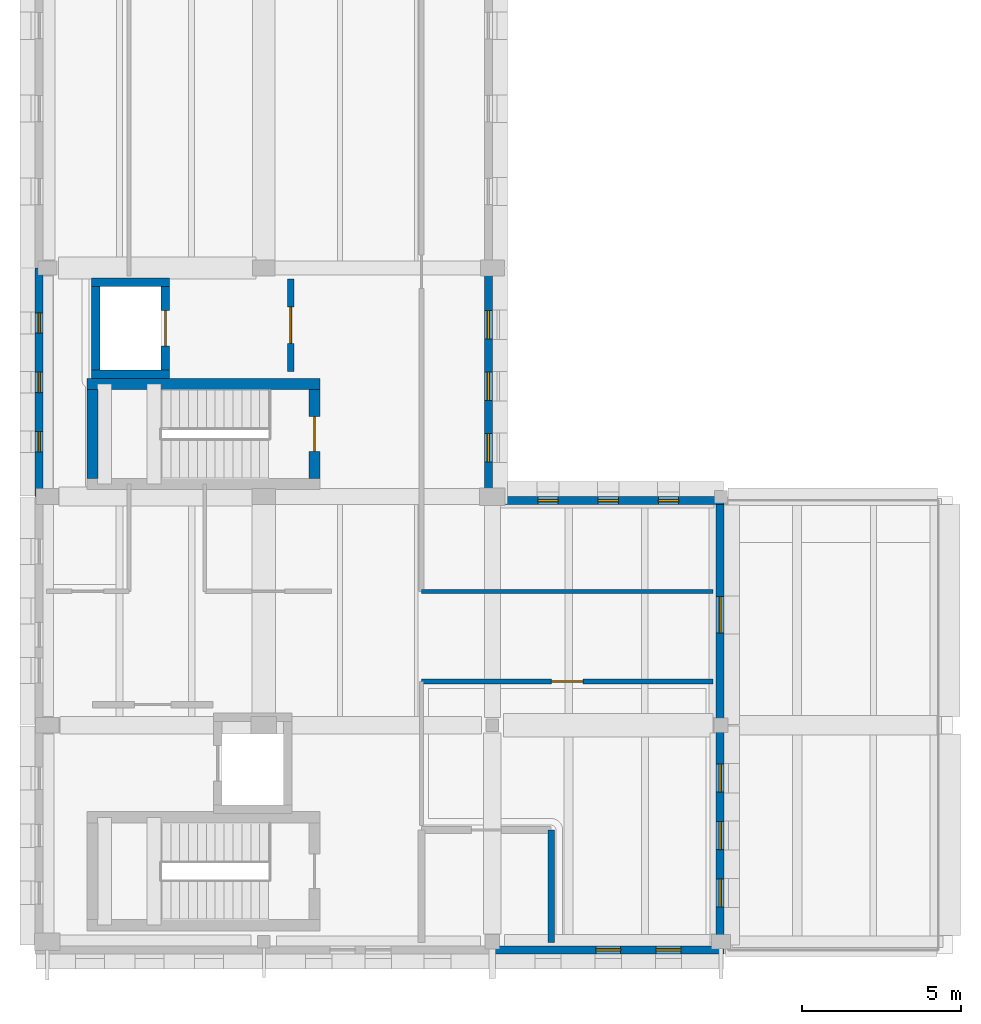
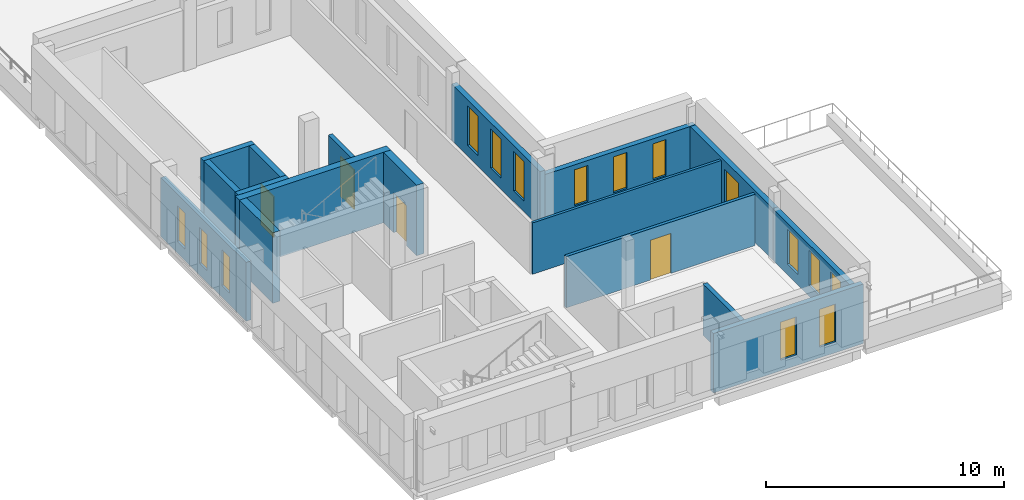
# One storey, part 4 of 8: 17 walls, 14 windows, 5 doors, 19 openings.
"""IFC4 building model written with IfcOpenShell, lengths in metres."""

import ifcopenshell
import ifcopenshell.guid

model = None  # the IFC model being written
_history = None  # IfcOwnerHistory: only IFC2X3 demands one
_inside = {}  # id of a spatial element -> (the spatial element, [elements in it])
_under = {}  # id of a project, library or spatial element -> (it, [spatial elements below it])
_declared = {}  # id of a project -> (the project, [libraries it declares])
_typed = {}  # id of a type object -> (the type object, [elements of that type])
_made_of = {}  # id of a material, layer set ... -> (it, [elements and type objects made of it])


def new_model(schema):
    """Start an empty IFC model of exactly this schema.

    Asked for "IFC4X3", IfcOpenShell would pick the latest addendum, in which some entities
    have other attributes; the version numbers below select the first issue.
    IFC2X3 requires an IfcOwnerHistory on every rooted entity: one is made here for all.
    """
    global model, _history
    if schema == "IFC4X3":
        model = ifcopenshell.file(schema_version=(4, 3, 0, 0))
    else:
        model = ifcopenshell.file(schema=schema)
    _inside.clear()
    _under.clear()
    _declared.clear()
    _typed.clear()
    _made_of.clear()
    _history = None
    if model.schema == "IFC2X3":
        org = make("IfcOrganization", Name="unknown")
        user = make(
            "IfcPersonAndOrganization",
            ThePerson=make("IfcPerson", FamilyName="unknown"),
            TheOrganization=org,
        )
        app = make(
            "IfcApplication",
            ApplicationDeveloper=org,
            Version="unknown",
            ApplicationFullName="unknown",
            ApplicationIdentifier="unknown",
        )
        _history = make(
            "IfcOwnerHistory",
            OwningUser=user,
            OwningApplication=app,
            ChangeAction="ADDED",
            CreationDate=0,
        )
    return model


def make(cls, **values):
    """One entity of the class cls with the attributes given. An attribute that is None is left unset."""
    return model.create_entity(
        cls, **{name: value for name, value in values.items() if value is not None}
    )


def rooted(cls, **values):
    """An entity with a GlobalId (a new one), such as an element, a storey or a relation."""
    return make(cls, GlobalId=ifcopenshell.guid.new(), OwnerHistory=_history, **values)


def si_unit(unit_type, name, prefix=None):
    """IfcSIUnit, for example si_unit("LENGTHUNIT", "METRE", prefix="MILLI")."""
    return make("IfcSIUnit", UnitType=unit_type, Prefix=prefix, Name=name)


def assignment(units):
    """IfcUnitAssignment: the units of a project."""
    return None if units is None else make("IfcUnitAssignment", Units=units)


def point(xyz):
    """IfcCartesianPoint."""
    return None if xyz is None else make("IfcCartesianPoint", Coordinates=xyz)


def direction(xyz):
    """IfcDirection."""
    return None if xyz is None else make("IfcDirection", DirectionRatios=xyz)


def frame(location, z_axis=None, x_axis=None):
    """IfcAxis2Placement3D, a coordinate frame: its origin and axes. An axis left out is left unset."""
    return make(
        "IfcAxis2Placement3D",
        Location=point(location),
        Axis=direction(z_axis),
        RefDirection=direction(x_axis),
    )


def frame_2d(location, x_axis=None):
    """IfcAxis2Placement2D, a coordinate frame in the plane: its origin and x axis."""
    return make(
        "IfcAxis2Placement2D", Location=point(location), RefDirection=direction(x_axis)
    )


def origin():
    """The frame at (0, 0, 0) with its axes left unset."""
    return frame((0.0, 0.0, 0.0))


def place(relative_to, where):
    """IfcLocalPlacement: puts the frame where relative to a parent placement (None: the world)."""
    return make(
        "IfcLocalPlacement", PlacementRelTo=relative_to, RelativePlacement=where
    )


def context(
    kind, dimensions, precision=None, world=None, true_north=None, identifier=None
):
    """IfcGeometricRepresentationContext, for example the 3D "Model" context."""
    return make(
        "IfcGeometricRepresentationContext",
        ContextIdentifier=identifier,
        ContextType=kind,
        CoordinateSpaceDimension=dimensions,
        Precision=precision,
        WorldCoordinateSystem=world,
        TrueNorth=true_north,
    )


def subcontext(parent, identifier, kind, view, scale=None):
    """IfcGeometricRepresentationSubContext, for example "Body" below "Model"."""
    return make(
        "IfcGeometricRepresentationSubContext",
        ContextIdentifier=identifier,
        ContextType=kind,
        ParentContext=parent,
        TargetScale=scale,
        TargetView=view,
    )


def project(units=None, contexts=None):
    """IfcProject with its units and contexts."""
    return rooted(
        "IfcProject",
        Name="project",
        RepresentationContexts=contexts,
        UnitsInContext=assignment(units),
    )


def spatial(cls, under=None, at=None, **own):
    """A site, building, storey or space (cls), placed at a placement, below another one or the project."""
    s = rooted(cls, ObjectPlacement=at, **own)
    if under is not None:
        _under.setdefault(under.id(), (under, []))[1].append(s)
    return s


def profile(cls, at=None, kind="AREA", **sizes):
    """A parametric profile (cls). Its sizes go by their IFC names, for example OverallWidth=200.0."""
    return make(cls, ProfileType=kind, Position=at, **sizes)


def rectangle(**sizes):
    """IfcRectangleProfileDef."""
    return profile("IfcRectangleProfileDef", **sizes)


def extrude(swept, where, along, depth):
    """IfcExtrudedAreaSolid: the profile swept, set in the frame where, extruded along a direction by depth."""
    return make(
        "IfcExtrudedAreaSolid",
        SweptArea=swept,
        Position=where,
        ExtrudedDirection=direction(along),
        Depth=depth,
    )


def shape(context_of_items, identifier, shape_type, items):
    """IfcShapeRepresentation: the items that make up one representation, for example the "Body"."""
    return make(
        "IfcShapeRepresentation",
        ContextOfItems=context_of_items,
        RepresentationIdentifier=identifier,
        RepresentationType=shape_type,
        Items=items,
    )


def material(Name=None, Category=None):
    """IfcMaterial."""
    return make("IfcMaterial", Name=Name, Category=Category)


def layer(
    of_material, thickness, ventilated=None, Name=None, Category=None, Priority=None
):
    """IfcMaterialLayer: one layer of a wall or slab, of a material (None: an air gap)."""
    return make(
        "IfcMaterialLayer",
        Material=of_material,
        LayerThickness=thickness,
        IsVentilated=ventilated,
        Name=Name,
        Category=Category,
        Priority=Priority,
    )


def layer_set(layers, Name=None):
    """IfcMaterialLayerSet."""
    return make("IfcMaterialLayerSet", MaterialLayers=layers, LayerSetName=Name)


def made_of(thing, what):
    """Note that an element or type object is made of a material, layer set ...; save() writes the relation."""
    if what is not None:
        _made_of.setdefault(what.id(), (what, []))[1].append(thing)
    return thing


def type_object(cls, material=None, **own):
    """A type object (cls), such as IfcWallType, which elements share."""
    return made_of(rooted(cls, **own), material)


def element(
    cls,
    number,
    at=None,
    inside=None,
    cuts=None,
    type_object=None,
    material=None,
    context=None,
    identifier="Body",
    shape_type=None,
    held_by="IfcProductDefinitionShape",
    body=None,
    shapes=None,
    **own,
):
    """One element of the class cls, such as IfcWall. Its Tag is "e" and its number.

    at: its placement. inside: the storey or other place that contains it. cuts: it is an
    opening in that element (IfcRelVoidsElement). A single representation is given by context,
    identifier, shape_type and body (its items); several are given by shapes. held_by: the class
    of the entity that holds the representations. save() writes the other relations.
    """
    e = rooted(cls, Tag="e%d" % number, ObjectPlacement=at, **own)
    if body is not None:
        shapes = [shape(context, identifier, shape_type, body)]
    if shapes is not None:
        e.Representation = make(held_by, Representations=shapes)
    if inside is not None:
        _inside.setdefault(inside.id(), (inside, []))[1].append(e)
    if cuts is not None:
        rooted(
            "IfcRelVoidsElement", RelatingBuildingElement=cuts, RelatedOpeningElement=e
        )
    if type_object is not None:
        _typed.setdefault(type_object.id(), (type_object, []))[1].append(e)
    return made_of(e, material)


def fill(opening, filler):
    """IfcRelFillsElement: the door or window that sits in an opening."""
    return rooted(
        "IfcRelFillsElement",
        RelatingOpeningElement=opening,
        RelatedBuildingElement=filler,
    )


def aggregate(whole, parts):
    """IfcRelAggregates: a whole, such as a stair, and the parts it consists of."""
    return rooted("IfcRelAggregates", RelatingObject=whole, RelatedObjects=parts)


def save(model, path):
    """Write the relations noted so far, then the file.

    IfcRelAggregates (storeys below a building ...), IfcRelContainedInSpatialStructure (elements
    in a storey), IfcRelDefinesByType, IfcRelAssociatesMaterial and IfcRelDeclares: one each for
    every whole, place, type object, material and project.
    """
    for whole, parts in _under.values():
        aggregate(whole, parts)
    for where, things in _inside.values():
        rooted(
            "IfcRelContainedInSpatialStructure",
            RelatedElements=things,
            RelatingStructure=where,
        )
    for kind, things in _typed.values():
        rooted("IfcRelDefinesByType", RelatedObjects=things, RelatingType=kind)
    for what, things in _made_of.values():
        rooted("IfcRelAssociatesMaterial", RelatedObjects=things, RelatingMaterial=what)
    for by, libraries in _declared.values():
        rooted("IfcRelDeclares", RelatingContext=by, RelatedDefinitions=libraries)
    model.write(path)


model = new_model("IFC4")

# Units and contexts
model_context = context("Model", 3, precision=1e-05, world=origin(), true_north=direction((0.0, 1.0)))
body_context = subcontext(model_context, "Body", "Model", "MODEL_VIEW")
ifc_project = project(units=[si_unit("LENGTHUNIT", "METRE"), si_unit("AREAUNIT", "SQUARE_METRE"), si_unit("VOLUMEUNIT", "CUBIC_METRE"), si_unit("PLANEANGLEUNIT", "RADIAN"), si_unit("MASSUNIT", "GRAM", prefix="KILO")], contexts=[model_context])

# Site, building, storey
site_placement = place(None, origin())
site = spatial("IfcSite", under=ifc_project, at=site_placement, CompositionType="ELEMENT")
building_placement = place(site_placement, origin())
building = spatial("IfcBuilding", under=site, at=building_placement, Name="Vardoun Plaza Health Centre", CompositionType="ELEMENT")
storey_placement = place(building_placement, frame((0.0, 0.0, 21.14990234375)))
storey = spatial("IfcBuildingStorey", under=building, at=storey_placement, Name="L05", CompositionType="ELEMENT", Elevation=21.14990234375)

# Walls
ifc_material_1 = material(Name="Concrete C40/50", Category="concrete")
ifc_layer_1 = layer(ifc_material_1, 0.27001953125)
ifc_layer_set_1 = layer_set([ifc_layer_1], Name="Concrete C40/50")
wall_type_1 = type_object("IfcWallType", Name="SW-03", PredefinedType="SHEAR", material=ifc_layer_set_1)
wall_1_placement = place(storey_placement, frame((8.735107421875, 22.75, 0.0), z_axis=(0.0, 0.0, 1.0), x_axis=(-1.0, 0.0, 0.0)))
element("IfcWall", 1, at=wall_1_placement, inside=storey, type_object=wall_type_1, Name="Lift LF-02 L05 Shaft Wall S", PredefinedType="SHEAR", context=body_context, shape_type="SweptSolid", body=[
    extrude(rectangle(XDim=2.47021484375, YDim=0.27001953125, at=frame_2d((1.235107421875, 0.0))), origin(), (0.0, 0.0, 1.0), 3.6201171875),
])
wall_2_placement = place(storey_placement, frame((6.39990234375, 22.885009765625, 0.0), z_axis=(0.0, 0.0, 1.0), x_axis=(0.0, 1.0, 0.0)))
element("IfcWall", 2, at=wall_2_placement, inside=storey, type_object=wall_type_1, Name="Lift LF-02 L05 Shaft Wall W", PredefinedType="SHEAR", context=body_context, shape_type="SweptSolid", body=[
    extrude(rectangle(XDim=2.6298828125, YDim=0.27001953125, at=frame_2d((1.31494140625, 0.0))), origin(), (0.0, 0.0, 1.0), 3.6201171875),
])
wall_3_placement = place(storey_placement, frame((6.264892578125, 25.64990234375, 0.0), z_axis=(0.0, 0.0, 1.0), x_axis=(1.0, 0.0, 0.0)))
element("IfcWall", 3, at=wall_3_placement, inside=storey, type_object=wall_type_1, Name="Lift LF-02 L05 Shaft Wall N", PredefinedType="SHEAR", context=body_context, shape_type="SweptSolid", body=[
    extrude(rectangle(XDim=2.47021484375, YDim=0.27001953125, at=frame_2d((1.235107421875, 0.0))), origin(), (0.0, 0.0, 1.0), 3.6201171875),
])

# Wall, opening, door
wall_4_placement = place(storey_placement, frame((8.60009765625, 25.514892578125, 0.0), z_axis=(0.0, 0.0, 1.0), x_axis=(0.0, -1.0, 0.0)))
wall_4 = element("IfcWall", 4, at=wall_4_placement, inside=storey, type_object=wall_type_1, Name="Lift LF-02 L05 Shaft Wall E", PredefinedType="SHEAR", context=body_context, shape_type="SweptSolid", body=[
    extrude(rectangle(XDim=2.6298828125, YDim=0.27001953125, at=frame_2d((1.31494140625, 0.0))), origin(), (0.0, 0.0, 1.0), 3.6201171875),
])
opening_1_placement = place(wall_4_placement, frame((0.7548828125, 0.0, 0.0)))
opening_1 = element("IfcOpeningElement", 5, at=opening_1_placement, cuts=wall_4, Name="Opening LD-LF-02-L05", PredefinedType="OPENING", context=body_context, shape_type="SweptSolid", body=[
    extrude(rectangle(XDim=1.1201171875, YDim=2.10009765625, at=frame_2d((0.56005859375, 1.050048828125))), frame((0.0, 0.135009765625, 0.0), z_axis=(0.0, -1.0, 0.0), x_axis=(1.0, 0.0, 0.0)), (0.0, 0.0, 1.0), 0.27001953125),
])
ifc_material_2 = material(Name="Brushed Stainless Steel Grade 316L", Category="steel")
door_type_1 = type_object("IfcDoorType", Name="LD-01", OperationType="DOUBLE_DOOR_SLIDING", PredefinedType="DOOR", material=ifc_material_2)
door_1_placement = place(opening_1_placement, origin())
door_1 = element("IfcDoor", 6, at=door_1_placement, inside=storey, type_object=door_type_1, Name="Lift LF-02 L05 Sliding Landing Door", OperationType="DOUBLE_DOOR_SLIDING", OverallHeight=2.10009765625, OverallWidth=1.1201171875, PredefinedType="DOOR", context=body_context, shape_type="SweptSolid", body=[
    extrude(rectangle(XDim=1.1201171875, YDim=2.10009765625, at=frame_2d((0.56005859375, 1.050048828125))), frame((0.0, 0.02490234375, 0.0), z_axis=(0.0, -1.0, 0.0), x_axis=(1.0, 0.0, 0.0)), (0.0, 0.0, 1.0), 0.050048828125),
])
fill(opening_1, door_1)

# Walls
ifc_material_3 = material(Name="Concrete C40/50", Category="concrete")
ifc_layer_2 = layer(ifc_material_3, 0.35009765625)
ifc_layer_set_2 = layer_set([ifc_layer_2], Name="Concrete C40/50")
wall_type_2 = type_object("IfcWallType", Name="SW-02", PredefinedType="SHEAR", material=ifc_layer_set_2)
wall_5_placement = place(storey_placement, frame((6.300048828125, 19.47509765625, 0.0), z_axis=(0.0, 0.0, 1.0), x_axis=(0.0, 1.0, 0.0)))
element("IfcWall", 7, at=wall_5_placement, inside=storey, type_object=wall_type_2, Name="Core C2 L05 Shear Wall W", PredefinedType="SHEAR", context=body_context, shape_type="SweptSolid", body=[
    extrude(rectangle(XDim=2.7998046875, YDim=0.35009765625, at=frame_2d((1.39990234375, 0.0))), origin(), (0.0, 0.0, 1.0), 3.6201171875),
])
wall_6_placement = place(storey_placement, frame((6.125, 22.449951171875, 0.0), z_axis=(0.0, 0.0, 1.0), x_axis=(1.0, 0.0, 0.0)))
element("IfcWall", 8, at=wall_6_placement, inside=storey, type_object=wall_type_2, Name="Core C2 L05 Shear Wall N", PredefinedType="SHEAR", context=body_context, shape_type="SweptSolid", body=[
    extrude(rectangle(XDim=7.35009765625, YDim=0.35009765625, at=frame_2d((3.675048828125, 0.0))), origin(), (0.0, 0.0, 1.0), 3.6201171875),
])

# Wall, opening, door
wall_7_placement = place(storey_placement, frame((13.300048828125, 22.27490234375, 0.0), z_axis=(0.0, 0.0, 1.0), x_axis=(0.0, -1.0, 0.0)))
wall_7 = element("IfcWall", 9, at=wall_7_placement, inside=storey, type_object=wall_type_2, Name="Core C2 L05 Shear Wall E", PredefinedType="SHEAR", context=body_context, shape_type="SweptSolid", body=[
    extrude(rectangle(XDim=2.7998046875, YDim=0.35009765625, at=frame_2d((1.39990234375, 0.0))), origin(), (0.0, 0.0, 1.0), 3.6201171875),
])
opening_2_placement = place(wall_7_placement, frame((0.85009765625, 0.0, 0.0)))
opening_2 = element("IfcOpeningElement", 10, at=opening_2_placement, cuts=wall_7, Name="Opening SD-C2-L05", PredefinedType="OPENING", context=body_context, shape_type="SweptSolid", body=[
    extrude(rectangle(XDim=1.10009765625, YDim=2.050048828125, at=frame_2d((0.550048828125, 1.02490234375))), frame((0.0, 0.175048828125, 0.0), z_axis=(0.0, -1.0, 0.0), x_axis=(1.0, 0.0, 0.0)), (0.0, 0.0, 1.0), 0.35009765625),
])
ifc_material_4 = material(Name="Brushed Stainless Steel Grade 316L", Category="steel")
door_type_2 = type_object("IfcDoorType", Name="FD-01", OperationType="NOTDEFINED", PredefinedType="DOOR", material=ifc_material_4)
door_2_placement = place(opening_2_placement, origin())
door_2 = element("IfcDoor", 11, at=door_2_placement, inside=storey, type_object=door_type_2, Name="Stair C2 L05 Fire Door", OperationType="SINGLE_SWING_LEFT", OverallHeight=2.050048828125, OverallWidth=1.10009765625, PredefinedType="DOOR", context=body_context, shape_type="SweptSolid", body=[
    extrude(rectangle(XDim=1.10009765625, YDim=2.050048828125, at=frame_2d((0.550048828125, 1.02490234375))), frame((0.0, 0.02490234375, 0.0), z_axis=(0.0, -1.0, 0.0), x_axis=(1.0, 0.0, 0.0)), (0.0, 0.0, 1.0), 0.050048828125),
])
fill(opening_2, door_2)

# Wall, openings, windows
ifc_material_5 = material(Name="Pale Limestone Concrete C35/45", Category="masonry")
ifc_layer_3 = layer(ifc_material_5, 0.25)
ifc_layer_set_3 = layer_set([ifc_layer_3], Name="Pale Limestone Concrete C35/45")
wall_type_3 = type_object("IfcWallType", Name="EW-07", PredefinedType="STANDARD", material=ifc_layer_set_3)
wall_8_placement = place(storey_placement, frame((18.77490234375, 26.10009765625, 0.0), z_axis=(0.0, 0.0, 1.0), x_axis=(0.0, -1.0, 0.0)))
wall_8 = element("IfcWall", 12, at=wall_8_placement, inside=storey, type_object=wall_type_3, Name="V2 L05 Exterior Wall EW-V2-201", PredefinedType="STANDARD", context=body_context, shape_type="SweptSolid", body=[
    extrude(rectangle(XDim=7.4501953125, YDim=0.25, at=frame_2d((3.72509765625, 0.0))), origin(), (0.0, 0.0, 1.0), 2.885009765625),
])
opening_3_placement = place(wall_8_placement, frame((1.343017578125, 0.0, 0.550048828125)))
opening_3 = element("IfcOpeningElement", 13, at=opening_3_placement, cuts=wall_8, Name="Opening W-35-006", PredefinedType="OPENING", context=body_context, shape_type="SweptSolid", body=[
    extrude(rectangle(XDim=0.889892578125, YDim=2.02001953125, at=frame_2d((0.44482421875, 1.010009765625))), frame((0.0, 0.125, 0.0), z_axis=(0.0, -1.0, 0.0), x_axis=(1.0, 0.0, 0.0)), (0.0, 0.0, 1.0), 0.25),
])
opening_4_placement = place(wall_8_placement, frame((3.280029296875, 0.0, 0.550048828125)))
opening_4 = element("IfcOpeningElement", 14, at=opening_4_placement, cuts=wall_8, Name="Opening W-35-007", PredefinedType="OPENING", context=body_context, shape_type="SweptSolid", body=[
    extrude(rectangle(XDim=0.889892578125, YDim=2.02001953125, at=frame_2d((0.44482421875, 1.010009765625))), frame((0.0, 0.125, 0.0), z_axis=(0.0, -1.0, 0.0), x_axis=(1.0, 0.0, 0.0)), (0.0, 0.0, 1.0), 0.25),
])
opening_5_placement = place(wall_8_placement, frame((5.217041015625, 0.0, 0.550048828125)))
opening_5 = element("IfcOpeningElement", 15, at=opening_5_placement, cuts=wall_8, Name="Opening W-35-008", PredefinedType="OPENING", context=body_context, shape_type="SweptSolid", body=[
    extrude(rectangle(XDim=0.889892578125, YDim=2.02001953125, at=frame_2d((0.44482421875, 1.010009765625))), frame((0.0, 0.125, 0.0), z_axis=(0.0, -1.0, 0.0), x_axis=(1.0, 0.0, 0.0)), (0.0, 0.0, 1.0), 0.25),
])
ifc_material_6 = material(Name="Aluminium Alloy EN AW-6063-T6 and Low-E Glass", Category="aluminium")
window_type_1 = type_object("IfcWindowType", Name="W-35", PartitioningType="DOUBLE_PANEL_VERTICAL", PredefinedType="WINDOW", material=ifc_material_6)
window_1_placement = place(opening_3_placement, origin())
window_1 = element("IfcWindow", 16, at=window_1_placement, inside=storey, type_object=window_type_1, Name="V2 L05 Deep-Punched Slot Window W-35-300", OverallHeight=2.02001953125, OverallWidth=0.889892578125, PartitioningType="DOUBLE_PANEL_VERTICAL", PredefinedType="WINDOW", context=body_context, shape_type="SweptSolid", body=[
    extrude(rectangle(XDim=0.889892578125, YDim=2.02001953125, at=frame_2d((0.44482421875, 1.010009765625))), frame((0.0, 0.030029296875, 0.0), z_axis=(0.0, -1.0, 0.0), x_axis=(1.0, 0.0, 0.0)), (0.0, 0.0, 1.0), 0.06005859375),
])
fill(opening_3, window_1)
window_2_placement = place(opening_4_placement, origin())
window_2 = element("IfcWindow", 17, at=window_2_placement, inside=storey, type_object=window_type_1, Name="V2 L05 Deep-Punched Slot Window W-35-301", OverallHeight=2.02001953125, OverallWidth=0.889892578125, PartitioningType="DOUBLE_PANEL_VERTICAL", PredefinedType="WINDOW", context=body_context, shape_type="SweptSolid", body=[
    extrude(rectangle(XDim=0.889892578125, YDim=2.02001953125, at=frame_2d((0.44482421875, 1.010009765625))), frame((0.0, 0.030029296875, 0.0), z_axis=(0.0, -1.0, 0.0), x_axis=(1.0, 0.0, 0.0)), (0.0, 0.0, 1.0), 0.06005859375),
])
fill(opening_4, window_2)
window_3_placement = place(opening_5_placement, origin())
window_3 = element("IfcWindow", 18, at=window_3_placement, inside=storey, type_object=window_type_1, Name="V2 L05 Deep-Punched Slot Window W-35-302", OverallHeight=2.02001953125, OverallWidth=0.889892578125, PartitioningType="DOUBLE_PANEL_VERTICAL", PredefinedType="WINDOW", context=body_context, shape_type="SweptSolid", body=[
    extrude(rectangle(XDim=0.889892578125, YDim=2.02001953125, at=frame_2d((0.44482421875, 1.010009765625))), frame((0.0, 0.030029296875, 0.0), z_axis=(0.0, -1.0, 0.0), x_axis=(1.0, 0.0, 0.0)), (0.0, 0.0, 1.0), 0.06005859375),
])
fill(opening_5, window_3)

wall_9_placement = place(storey_placement, frame((18.89990234375, 18.77490234375, 0.0), z_axis=(0.0, 0.0, 1.0), x_axis=(1.0, 0.0, 0.0)))
wall_9 = element("IfcWall", 19, at=wall_9_placement, inside=storey, type_object=wall_type_3, Name="V2 L05 Exterior Wall EW-V2-202", PredefinedType="STANDARD", context=body_context, shape_type="SweptSolid", body=[
    extrude(rectangle(XDim=7.300048828125, YDim=0.25, at=frame_2d((3.64990234375, 0.0))), origin(), (0.0, 0.0, 1.0), 2.655029296875),
])
opening_6_placement = place(wall_9_placement, frame((1.431884765625, 0.0, 0.550048828125)))
opening_6 = element("IfcOpeningElement", 20, at=opening_6_placement, cuts=wall_9, Name="Opening W-25-007", PredefinedType="OPENING", context=body_context, shape_type="SweptSolid", body=[
    extrude(rectangle(XDim=0.639892578125, YDim=1.85009765625, at=frame_2d((0.31982421875, 0.925048828125))), frame((0.0, 0.125, 0.0), z_axis=(0.0, -1.0, 0.0), x_axis=(1.0, 0.0, 0.0)), (0.0, 0.0, 1.0), 0.25),
])
opening_7_placement = place(wall_9_placement, frame((3.330078125, 0.0, 0.550048828125)))
opening_7 = element("IfcOpeningElement", 21, at=opening_7_placement, cuts=wall_9, Name="Opening W-25-008", PredefinedType="OPENING", context=body_context, shape_type="SweptSolid", body=[
    extrude(rectangle(XDim=0.639892578125, YDim=1.85009765625, at=frame_2d((0.31982421875, 0.925048828125))), frame((0.0, 0.125, 0.0), z_axis=(0.0, -1.0, 0.0), x_axis=(1.0, 0.0, 0.0)), (0.0, 0.0, 1.0), 0.25),
])
opening_8_placement = place(wall_9_placement, frame((5.22802734375, 0.0, 0.550048828125)))
opening_8 = element("IfcOpeningElement", 22, at=opening_8_placement, cuts=wall_9, Name="Opening W-25-009", PredefinedType="OPENING", context=body_context, shape_type="SweptSolid", body=[
    extrude(rectangle(XDim=0.639892578125, YDim=1.85009765625, at=frame_2d((0.31982421875, 0.925048828125))), frame((0.0, 0.125, 0.0), z_axis=(0.0, -1.0, 0.0), x_axis=(1.0, 0.0, 0.0)), (0.0, 0.0, 1.0), 0.25),
])
ifc_material_7 = material(Name="Aluminium Alloy EN AW-6063-T6 and Low-E Glass", Category="aluminium")
window_type_2 = type_object("IfcWindowType", Name="W-25", PartitioningType="SINGLE_PANEL", PredefinedType="WINDOW", material=ifc_material_7)
window_4_placement = place(opening_6_placement, origin())
window_4 = element("IfcWindow", 23, at=window_4_placement, inside=storey, type_object=window_type_2, Name="V2 L05 Deep-Punched Slot Window W-25-303", OverallHeight=1.85009765625, OverallWidth=0.639892578125, PartitioningType="SINGLE_PANEL", PredefinedType="WINDOW", context=body_context, shape_type="SweptSolid", body=[
    extrude(rectangle(XDim=0.639892578125, YDim=1.85009765625, at=frame_2d((0.31982421875, 0.925048828125))), frame((0.0, 0.030029296875, 0.0), z_axis=(0.0, -1.0, 0.0), x_axis=(1.0, 0.0, 0.0)), (0.0, 0.0, 1.0), 0.06005859375),
])
fill(opening_6, window_4)
window_5_placement = place(opening_7_placement, origin())
window_5 = element("IfcWindow", 24, at=window_5_placement, inside=storey, type_object=window_type_2, Name="V2 L05 Deep-Punched Slot Window W-25-304", OverallHeight=1.85009765625, OverallWidth=0.639892578125, PartitioningType="SINGLE_PANEL", PredefinedType="WINDOW", context=body_context, shape_type="SweptSolid", body=[
    extrude(rectangle(XDim=0.639892578125, YDim=1.85009765625, at=frame_2d((0.31982421875, 0.925048828125))), frame((0.0, 0.030029296875, 0.0), z_axis=(0.0, -1.0, 0.0), x_axis=(1.0, 0.0, 0.0)), (0.0, 0.0, 1.0), 0.06005859375),
])
fill(opening_7, window_5)
window_6_placement = place(opening_8_placement, origin())
window_6 = element("IfcWindow", 25, at=window_6_placement, inside=storey, type_object=window_type_2, Name="V2 L05 Deep-Punched Slot Window W-25-305", OverallHeight=1.85009765625, OverallWidth=0.639892578125, PartitioningType="SINGLE_PANEL", PredefinedType="WINDOW", context=body_context, shape_type="SweptSolid", body=[
    extrude(rectangle(XDim=0.639892578125, YDim=1.85009765625, at=frame_2d((0.31982421875, 0.925048828125))), frame((0.0, 0.030029296875, 0.0), z_axis=(0.0, -1.0, 0.0), x_axis=(1.0, 0.0, 0.0)), (0.0, 0.0, 1.0), 0.06005859375),
])
fill(opening_8, window_6)

# Wall, opening, door
wall_10_placement = place(storey_placement, frame((26.074951171875, 18.64990234375, 0.0), z_axis=(0.0, 0.0, 1.0), x_axis=(0.0, -1.0, 0.0)))
wall_10 = element("IfcWall", 26, at=wall_10_placement, inside=storey, type_object=wall_type_3, Name="V2 L05 Exterior Wall EW-V2-203", PredefinedType="STANDARD", context=body_context, shape_type="SweptSolid", body=[
    extrude(rectangle(XDim=6.949951171875, YDim=0.25, at=frame_2d((3.47509765625, 0.0))), origin(), (0.0, 0.0, 1.0), 2.655029296875),
])
opening_9_placement = place(wall_10_placement, frame((2.89990234375, 0.0, 0.18994140625)))
opening_9 = element("IfcOpeningElement", 27, at=opening_9_placement, cuts=wall_10, Name="Opening TD-V2-L05-2", PredefinedType="OPENING", context=body_context, shape_type="SweptSolid", body=[
    extrude(rectangle(XDim=1.14990234375, YDim=2.02001953125, at=frame_2d((0.574951171875, 1.010009765625))), frame((0.0, 0.125, 0.0), z_axis=(0.0, -1.0, 0.0), x_axis=(1.0, 0.0, 0.0)), (0.0, 0.0, 1.0), 0.25),
])
ifc_material_8 = material(Name="Aluminium Alloy EN AW-6063-T6 Terrace Door", Category="aluminium")
door_type_3 = type_object("IfcDoorType", Name="ED-04", OperationType="NOTDEFINED", PredefinedType="DOOR", material=ifc_material_8)
door_3_placement = place(opening_9_placement, origin())
door_3 = element("IfcDoor", 28, at=door_3_placement, inside=storey, type_object=door_type_3, Name="V2 L05 Roof-Garden Terrace Door 2", OperationType="SINGLE_SWING_LEFT", OverallHeight=2.02001953125, OverallWidth=1.14990234375, PredefinedType="DOOR", context=body_context, shape_type="SweptSolid", body=[
    extrude(rectangle(XDim=1.14990234375, YDim=2.02001953125, at=frame_2d((0.574951171875, 1.010009765625))), frame((0.0, 0.02490234375, 0.0), z_axis=(0.0, -1.0, 0.0), x_axis=(1.0, 0.0, 0.0)), (0.0, 0.0, 1.0), 0.050048828125),
])
fill(opening_9, door_3)

# Wall, openings, windows
wall_11_placement = place(storey_placement, frame((26.074951171875, 11.699951171875, 0.0), z_axis=(0.0, 0.0, 1.0), x_axis=(0.0, -1.0, 0.0)))
wall_11 = element("IfcWall", 29, at=wall_11_placement, inside=storey, type_object=wall_type_3, Name="V2 L05 Exterior Wall EW-V2-204", PredefinedType="STANDARD", context=body_context, shape_type="SweptSolid", body=[
    extrude(rectangle(XDim=6.949951171875, YDim=0.25, at=frame_2d((3.47509765625, 0.0))), origin(), (0.0, 0.0, 1.0), 2.655029296875),
])
opening_10_placement = place(wall_11_placement, frame((1.22802734375, 0.0, 0.550048828125)))
opening_10 = element("IfcOpeningElement", 30, at=opening_10_placement, cuts=wall_11, Name="Opening W-28-010", PredefinedType="OPENING", context=body_context, shape_type="SweptSolid", body=[
    extrude(rectangle(XDim=0.8798828125, YDim=1.800048828125, at=frame_2d((0.43994140625, 0.89990234375))), frame((0.0, 0.125, 0.0), z_axis=(0.0, -1.0, 0.0), x_axis=(1.0, 0.0, 0.0)), (0.0, 0.0, 1.0), 0.25),
])
opening_11_placement = place(wall_11_placement, frame((3.034912109375, 0.0, 0.550048828125)))
opening_11 = element("IfcOpeningElement", 31, at=opening_11_placement, cuts=wall_11, Name="Opening W-28-011", PredefinedType="OPENING", context=body_context, shape_type="SweptSolid", body=[
    extrude(rectangle(XDim=0.8798828125, YDim=1.800048828125, at=frame_2d((0.43994140625, 0.89990234375))), frame((0.0, 0.125, 0.0), z_axis=(0.0, -1.0, 0.0), x_axis=(1.0, 0.0, 0.0)), (0.0, 0.0, 1.0), 0.25),
])
opening_12_placement = place(wall_11_placement, frame((4.842041015625, 0.0, 0.550048828125)))
opening_12 = element("IfcOpeningElement", 32, at=opening_12_placement, cuts=wall_11, Name="Opening W-28-012", PredefinedType="OPENING", context=body_context, shape_type="SweptSolid", body=[
    extrude(rectangle(XDim=0.8798828125, YDim=1.800048828125, at=frame_2d((0.43994140625, 0.89990234375))), frame((0.0, 0.125, 0.0), z_axis=(0.0, -1.0, 0.0), x_axis=(1.0, 0.0, 0.0)), (0.0, 0.0, 1.0), 0.25),
])
ifc_material_9 = material(Name="Aluminium Alloy EN AW-6063-T6 and Low-E Glass", Category="aluminium")
window_type_3 = type_object("IfcWindowType", Name="W-28", PartitioningType="SINGLE_PANEL", PredefinedType="WINDOW", material=ifc_material_9)
window_7_placement = place(opening_10_placement, origin())
window_7 = element("IfcWindow", 33, at=window_7_placement, inside=storey, type_object=window_type_3, Name="V2 L05 Deep-Punched Slot Window W-28-306", OverallHeight=1.800048828125, OverallWidth=0.8798828125, PartitioningType="SINGLE_PANEL", PredefinedType="WINDOW", context=body_context, shape_type="SweptSolid", body=[
    extrude(rectangle(XDim=0.8798828125, YDim=1.800048828125, at=frame_2d((0.43994140625, 0.89990234375))), frame((0.0, 0.030029296875, 0.0), z_axis=(0.0, -1.0, 0.0), x_axis=(1.0, 0.0, 0.0)), (0.0, 0.0, 1.0), 0.06005859375),
])
fill(opening_10, window_7)
window_8_placement = place(opening_11_placement, origin())
window_8 = element("IfcWindow", 34, at=window_8_placement, inside=storey, type_object=window_type_3, Name="V2 L05 Deep-Punched Slot Window W-28-307", OverallHeight=1.800048828125, OverallWidth=0.8798828125, PartitioningType="SINGLE_PANEL", PredefinedType="WINDOW", context=body_context, shape_type="SweptSolid", body=[
    extrude(rectangle(XDim=0.8798828125, YDim=1.800048828125, at=frame_2d((0.43994140625, 0.89990234375))), frame((0.0, 0.030029296875, 0.0), z_axis=(0.0, -1.0, 0.0), x_axis=(1.0, 0.0, 0.0)), (0.0, 0.0, 1.0), 0.06005859375),
])
fill(opening_11, window_8)
window_9_placement = place(opening_12_placement, origin())
window_9 = element("IfcWindow", 35, at=window_9_placement, inside=storey, type_object=window_type_3, Name="V2 L05 Deep-Punched Slot Window W-28-308", OverallHeight=1.800048828125, OverallWidth=0.8798828125, PartitioningType="SINGLE_PANEL", PredefinedType="WINDOW", context=body_context, shape_type="SweptSolid", body=[
    extrude(rectangle(XDim=0.8798828125, YDim=1.800048828125, at=frame_2d((0.43994140625, 0.89990234375))), frame((0.0, 0.030029296875, 0.0), z_axis=(0.0, -1.0, 0.0), x_axis=(1.0, 0.0, 0.0)), (0.0, 0.0, 1.0), 0.06005859375),
])
fill(opening_12, window_9)

wall_12_placement = place(storey_placement, frame((26.199951171875, 4.625, 0.0), z_axis=(0.0, 0.0, 1.0), x_axis=(-1.0, 0.0, 0.0)))
wall_12 = element("IfcWall", 36, at=wall_12_placement, inside=storey, type_object=wall_type_3, Name="V2 L05 Exterior Wall EW-V2-205", PredefinedType="STANDARD", context=body_context, shape_type="SweptSolid", body=[
    extrude(rectangle(XDim=7.300048828125, YDim=0.25, at=frame_2d((3.64990234375, 0.0))), origin(), (0.0, 0.0, 1.0), 3.05517578125),
])
opening_13_placement = place(wall_12_placement, frame((1.362060546875, 0.0, 0.550048828125)))
opening_13 = element("IfcOpeningElement", 37, at=opening_13_placement, cuts=wall_12, Name="Opening W-30-014", PredefinedType="OPENING", context=body_context, shape_type="SweptSolid", body=[
    extrude(rectangle(XDim=0.780029296875, YDim=1.949951171875, at=frame_2d((0.39013671875, 0.97509765625))), frame((0.0, 0.125, 0.0), z_axis=(0.0, -1.0, 0.0), x_axis=(1.0, 0.0, 0.0)), (0.0, 0.0, 1.0), 0.25),
])
opening_14_placement = place(wall_12_placement, frame((3.260009765625, 0.0, 0.550048828125)))
opening_14 = element("IfcOpeningElement", 38, at=opening_14_placement, cuts=wall_12, Name="Opening W-30-015", PredefinedType="OPENING", context=body_context, shape_type="SweptSolid", body=[
    extrude(rectangle(XDim=0.780029296875, YDim=1.949951171875, at=frame_2d((0.39013671875, 0.97509765625))), frame((0.0, 0.125, 0.0), z_axis=(0.0, -1.0, 0.0), x_axis=(1.0, 0.0, 0.0)), (0.0, 0.0, 1.0), 0.25),
])
ifc_material_10 = material(Name="Aluminium Alloy EN AW-6063-T6 and Low-E Glass", Category="aluminium")
window_type_4 = type_object("IfcWindowType", Name="W-30", PartitioningType="SINGLE_PANEL", PredefinedType="WINDOW", material=ifc_material_10)
window_10_placement = place(opening_13_placement, origin())
window_10 = element("IfcWindow", 39, at=window_10_placement, inside=storey, type_object=window_type_4, Name="V2 L05 Deep-Punched Slot Window W-30-309", OverallHeight=1.949951171875, OverallWidth=0.780029296875, PartitioningType="SINGLE_PANEL", PredefinedType="WINDOW", context=body_context, shape_type="SweptSolid", body=[
    extrude(rectangle(XDim=0.780029296875, YDim=1.949951171875, at=frame_2d((0.39013671875, 0.97509765625))), frame((0.0, 0.030029296875, 0.0), z_axis=(0.0, -1.0, 0.0), x_axis=(1.0, 0.0, 0.0)), (0.0, 0.0, 1.0), 0.06005859375),
])
fill(opening_13, window_10)
window_11_placement = place(opening_14_placement, origin())
window_11 = element("IfcWindow", 40, at=window_11_placement, inside=storey, type_object=window_type_4, Name="V2 L05 Deep-Punched Slot Window W-30-310", OverallHeight=1.949951171875, OverallWidth=0.780029296875, PartitioningType="SINGLE_PANEL", PredefinedType="WINDOW", context=body_context, shape_type="SweptSolid", body=[
    extrude(rectangle(XDim=0.780029296875, YDim=1.949951171875, at=frame_2d((0.39013671875, 0.97509765625))), frame((0.0, 0.030029296875, 0.0), z_axis=(0.0, -1.0, 0.0), x_axis=(1.0, 0.0, 0.0)), (0.0, 0.0, 1.0), 0.06005859375),
])
fill(opening_14, window_11)

wall_13_placement = place(storey_placement, frame((4.625, 18.89990234375, 0.0), z_axis=(0.0, 0.0, 1.0), x_axis=(0.0, 1.0, 0.0)))
wall_13 = element("IfcWall", 41, at=wall_13_placement, inside=storey, type_object=wall_type_3, Name="V2 L05 Exterior Wall EW-V2-210", PredefinedType="STANDARD", context=body_context, shape_type="SweptSolid", body=[
    extrude(rectangle(XDim=7.2001953125, YDim=0.25, at=frame_2d((3.60009765625, 0.0))), origin(), (0.0, 0.0, 1.0), 3.025146484375),
])
opening_15_placement = place(wall_13_placement, frame((1.407958984375, 0.0, 0.60009765625)))
opening_15 = element("IfcOpeningElement", 42, at=opening_15_placement, cuts=wall_13, Name="Opening W-25-010", PredefinedType="OPENING", context=body_context, shape_type="SweptSolid", body=[
    extrude(rectangle(XDim=0.639892578125, YDim=1.85009765625, at=frame_2d((0.31982421875, 0.925048828125))), frame((0.0, 0.125, 0.0), z_axis=(0.0, -1.0, 0.0), x_axis=(1.0, 0.0, 0.0)), (0.0, 0.0, 1.0), 0.25),
])
opening_16_placement = place(wall_13_placement, frame((3.280029296875, 0.0, 0.60009765625)))
opening_16 = element("IfcOpeningElement", 43, at=opening_16_placement, cuts=wall_13, Name="Opening W-25-011", PredefinedType="OPENING", context=body_context, shape_type="SweptSolid", body=[
    extrude(rectangle(XDim=0.639892578125, YDim=1.85009765625, at=frame_2d((0.31982421875, 0.925048828125))), frame((0.0, 0.125, 0.0), z_axis=(0.0, -1.0, 0.0), x_axis=(1.0, 0.0, 0.0)), (0.0, 0.0, 1.0), 0.25),
])
opening_17_placement = place(wall_13_placement, frame((5.152099609375, 0.0, 0.60009765625)))
opening_17 = element("IfcOpeningElement", 44, at=opening_17_placement, cuts=wall_13, Name="Opening W-25-012", PredefinedType="OPENING", context=body_context, shape_type="SweptSolid", body=[
    extrude(rectangle(XDim=0.639892578125, YDim=1.85009765625, at=frame_2d((0.31982421875, 0.925048828125))), frame((0.0, 0.125, 0.0), z_axis=(0.0, -1.0, 0.0), x_axis=(1.0, 0.0, 0.0)), (0.0, 0.0, 1.0), 0.25),
])
window_12_placement = place(opening_15_placement, origin())
window_12 = element("IfcWindow", 45, at=window_12_placement, inside=storey, type_object=window_type_2, Name="V2 L05 Deep-Punched Slot Window W-25-324", OverallHeight=1.85009765625, OverallWidth=0.639892578125, PartitioningType="SINGLE_PANEL", PredefinedType="WINDOW", context=body_context, shape_type="SweptSolid", body=[
    extrude(rectangle(XDim=0.639892578125, YDim=1.85009765625, at=frame_2d((0.31982421875, 0.925048828125))), frame((0.0, 0.030029296875, 0.0), z_axis=(0.0, -1.0, 0.0), x_axis=(1.0, 0.0, 0.0)), (0.0, 0.0, 1.0), 0.06005859375),
])
fill(opening_15, window_12)
window_13_placement = place(opening_16_placement, origin())
window_13 = element("IfcWindow", 46, at=window_13_placement, inside=storey, type_object=window_type_2, Name="V2 L05 Deep-Punched Slot Window W-25-325", OverallHeight=1.85009765625, OverallWidth=0.639892578125, PartitioningType="SINGLE_PANEL", PredefinedType="WINDOW", context=body_context, shape_type="SweptSolid", body=[
    extrude(rectangle(XDim=0.639892578125, YDim=1.85009765625, at=frame_2d((0.31982421875, 0.925048828125))), frame((0.0, 0.030029296875, 0.0), z_axis=(0.0, -1.0, 0.0), x_axis=(1.0, 0.0, 0.0)), (0.0, 0.0, 1.0), 0.06005859375),
])
fill(opening_16, window_13)
window_14_placement = place(opening_17_placement, origin())
window_14 = element("IfcWindow", 47, at=window_14_placement, inside=storey, type_object=window_type_2, Name="V2 L05 Deep-Punched Slot Window W-25-326", OverallHeight=1.85009765625, OverallWidth=0.639892578125, PartitioningType="SINGLE_PANEL", PredefinedType="WINDOW", context=body_context, shape_type="SweptSolid", body=[
    extrude(rectangle(XDim=0.639892578125, YDim=1.85009765625, at=frame_2d((0.31982421875, 0.925048828125))), frame((0.0, 0.030029296875, 0.0), z_axis=(0.0, -1.0, 0.0), x_axis=(1.0, 0.0, 0.0)), (0.0, 0.0, 1.0), 0.06005859375),
])
fill(opening_17, window_14)

# Wall, opening, door
ifc_material_11 = material(Name="Acoustic Gypsum Twin-Stud", Category="steel")
ifc_layer_4 = layer(ifc_material_11, 0.14990234375)
ifc_layer_set_4 = layer_set([ifc_layer_4], Name="Acoustic Gypsum Twin-Stud")
wall_type_4 = type_object("IfcWallType", Name="IW-04", PredefinedType="PARTITIONING", material=ifc_layer_set_4)
wall_14_placement = place(storey_placement, frame((16.669921875, 13.080078125, 0.0), z_axis=(0.0, 0.0, 1.0), x_axis=(1.0, 0.0, 0.0)))
wall_14 = element("IfcWall", 48, at=wall_14_placement, inside=storey, type_object=wall_type_4, Name="Chronic Care and Diabetes Clinic Partition Wall", PredefinedType="PARTITIONING", context=body_context, shape_type="SweptSolid", body=[
    extrude(rectangle(XDim=9.18017578125, YDim=0.14990234375, at=frame_2d((4.590087890625, 0.0))), origin(), (0.0, 0.0, 1.0), 2.64013671875),
])
opening_18_placement = place(wall_14_placement, frame((4.090087890625, 0.0, 0.0)))
opening_18 = element("IfcOpeningElement", 49, at=opening_18_placement, cuts=wall_14, Name="Opening D-L05-064", PredefinedType="OPENING", context=body_context, shape_type="SweptSolid", body=[
    extrude(rectangle(XDim=1.0, YDim=2.050048828125, at=frame_2d((0.5, 1.02490234375))), frame((0.0, 0.074951171875, 0.0), z_axis=(0.0, -1.0, 0.0), x_axis=(1.0, 0.0, 0.0)), (0.0, 0.0, 1.0), 0.14990234375),
])
ifc_material_12 = material(Name="Antimicrobial Acoustic Timber and Steel S275JR", Category="steel")
door_type_4 = type_object("IfcDoorType", Name="CD-03", OperationType="NOTDEFINED", PredefinedType="DOOR", material=ifc_material_12)
door_4_placement = place(opening_18_placement, origin())
door_4 = element("IfcDoor", 50, at=door_4_placement, inside=storey, type_object=door_type_4, Name="Chronic Care and Diabetes Clinic Door D-L05-064", OperationType="SINGLE_SWING_RIGHT", OverallHeight=2.050048828125, OverallWidth=1.0, PredefinedType="DOOR", context=body_context, shape_type="SweptSolid", body=[
    extrude(rectangle(XDim=1.0, YDim=2.050048828125, at=frame_2d((0.5, 1.02490234375))), frame((0.0, 0.02490234375, 0.0), z_axis=(0.0, -1.0, 0.0), x_axis=(1.0, 0.0, 0.0)), (0.0, 0.0, 1.0), 0.050048828125),
])
fill(opening_18, door_4)

# Wall
ifc_material_13 = material(Name="Standard Clinical Sub-Partition", Category="steel")
ifc_layer_5 = layer(ifc_material_13, 0.125)
ifc_layer_set_5 = layer_set([ifc_layer_5], Name="Standard Clinical Sub-Partition")
wall_type_5 = type_object("IfcWallType", Name="IW-11", PredefinedType="PARTITIONING", material=ifc_layer_set_5)
wall_15_placement = place(storey_placement, frame((25.85009765625, 15.919921875, 0.0), z_axis=(0.0, 0.0, 1.0), x_axis=(-1.0, 0.0, 0.0)))
element("IfcWall", 51, at=wall_15_placement, inside=storey, type_object=wall_type_5, Name="Clinical Nutrition Counselling Room Enclosure Partition", PredefinedType="PARTITIONING", context=body_context, shape_type="SweptSolid", body=[
    extrude(rectangle(XDim=9.18017578125, YDim=0.125, at=frame_2d((4.590087890625, 0.0))), origin(), (0.0, 0.0, 1.0), 2.64013671875),
])

# Wall, opening, door
ifc_material_14 = material(Name="Concrete C35/45", Category="concrete")
ifc_layer_6 = layer(ifc_material_14, 0.199951171875)
ifc_layer_set_6 = layer_set([ifc_layer_6], Name="Concrete C35/45")
wall_type_6 = type_object("IfcWallType", Name="IW-01", PredefinedType="SOLIDWALL", material=ifc_layer_set_6)
wall_16_placement = place(storey_placement, frame((12.550048828125, 25.75, 0.0), z_axis=(0.0, 0.0, 1.0), x_axis=(0.0, -1.0, 0.0)))
wall_16 = element("IfcWall", 52, at=wall_16_placement, inside=storey, type_object=wall_type_6, Name="Firefighting Lobby C2 L05 Wall", PredefinedType="SOLIDWALL", context=body_context, shape_type="SweptSolid", body=[
    extrude(rectangle(XDim=2.89990234375, YDim=0.199951171875, at=frame_2d((1.449951171875, 0.0))), origin(), (0.0, 0.0, 1.0), 2.64013671875),
])
opening_19_placement = place(wall_16_placement, frame((0.875, 0.0, 0.0)))
opening_19 = element("IfcOpeningElement", 53, at=opening_19_placement, cuts=wall_16, Name="Opening FD-FF-C2-L05", PredefinedType="OPENING", context=body_context, shape_type="SweptSolid", body=[
    extrude(rectangle(XDim=1.14990234375, YDim=2.050048828125, at=frame_2d((0.574951171875, 1.02490234375))), frame((0.0, 0.10009765625, 0.0), z_axis=(0.0, -1.0, 0.0), x_axis=(1.0, 0.0, 0.0)), (0.0, 0.0, 1.0), 0.199951171875),
])
ifc_material_15 = material(Name="Antimicrobial Acoustic Timber and Steel S275JR", Category="steel")
door_type_5 = type_object("IfcDoorType", Name="FD-02", OperationType="NOTDEFINED", PredefinedType="DOOR", material=ifc_material_15)
door_5_placement = place(opening_19_placement, origin())
door_5 = element("IfcDoor", 54, at=door_5_placement, inside=storey, type_object=door_type_5, Name="Firefighting Lobby C2 L05 Fire Door", OperationType="SINGLE_SWING_RIGHT", OverallHeight=2.050048828125, OverallWidth=1.14990234375, PredefinedType="DOOR", context=body_context, shape_type="SweptSolid", body=[
    extrude(rectangle(XDim=1.14990234375, YDim=2.050048828125, at=frame_2d((0.574951171875, 1.02490234375))), frame((0.0, 0.02490234375, 0.0), z_axis=(0.0, -1.0, 0.0), x_axis=(1.0, 0.0, 0.0)), (0.0, 0.0, 1.0), 0.050048828125),
])
fill(opening_19, door_5)

# Wall
ifc_material_16 = material(Name="Moisture-Resistant Plumbing Chase", Category="steel")
ifc_layer_7 = layer(ifc_material_16, 0.215087890625)
ifc_layer_set_7 = layer_set([ifc_layer_7], Name="Moisture-Resistant Plumbing Chase")
wall_type_7 = type_object("IfcWallType", Name="IW-06", PredefinedType="PLUMBINGWALL", material=ifc_layer_set_7)
wall_17_placement = place(storey_placement, frame((20.75341796875, 8.40087890625, 0.0), z_axis=(0.0, 0.0, 1.0), x_axis=(0.0, -1.0, 0.0)))
element("IfcWall", 55, at=wall_17_placement, inside=storey, type_object=wall_type_7, Name="Accessible WC L05-V2 Enclosure Partition", PredefinedType="PLUMBINGWALL", context=body_context, shape_type="SweptSolid", body=[
    extrude(rectangle(XDim=3.55078125, YDim=0.215087890625, at=frame_2d((1.775390625, 0.0))), origin(), (0.0, 0.0, 1.0), 2.64013671875),
])

save(model, "model.ifc")
